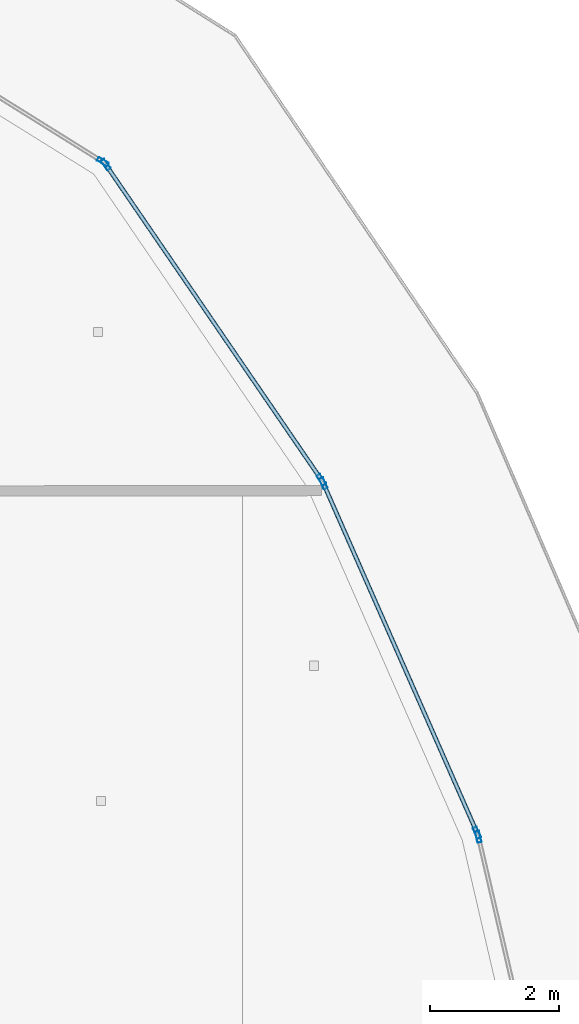
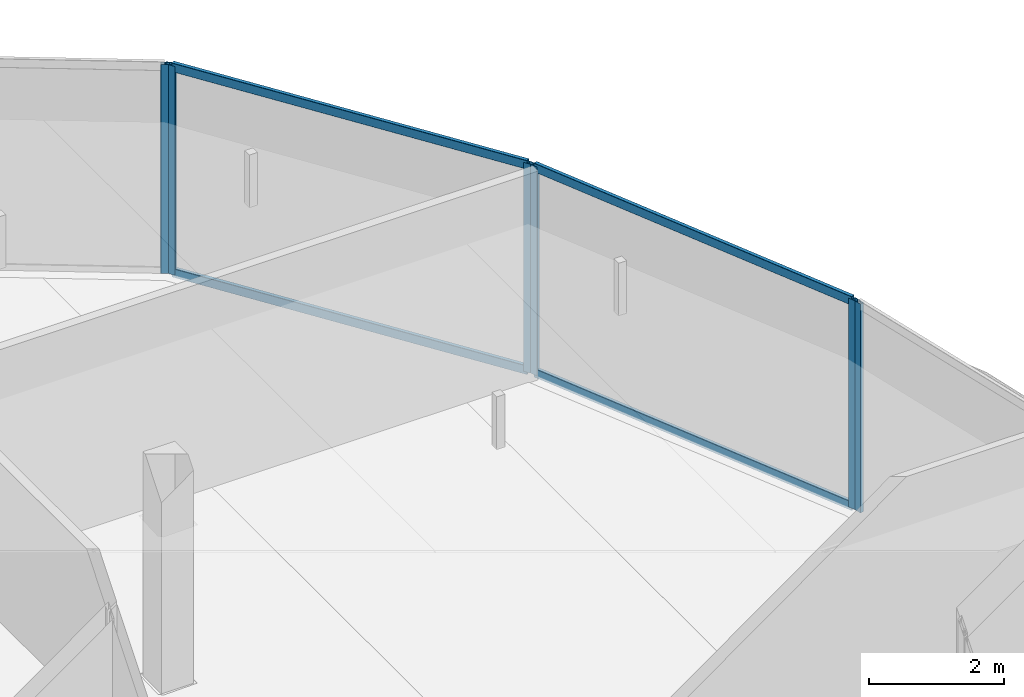
# One storey, part 19 of 33: 10 members, 4 elements without a shape of their own.
"""IFC4 building model written with IfcOpenShell, lengths in metres."""

from ifc_helpers import new_model, si_unit, direction, frame, origin, origin_2d, place, context, subcontext, project, spatial, hollow_rectangle, extrude, material, layer, layer_set, material_profile, profile_set, type_object, element, aggregate, save


model = new_model("IFC4")

# Units and contexts
model_context = context("Model", 3, precision=1e-05, world=origin(), true_north=direction((0.0, 1.0)))
body_context = subcontext(model_context, "Body", "Model", "MODEL_VIEW")
ifc_project = project(units=[si_unit("LENGTHUNIT", "METRE"), si_unit("AREAUNIT", "SQUARE_METRE"), si_unit("VOLUMEUNIT", "CUBIC_METRE"), si_unit("PLANEANGLEUNIT", "RADIAN"), si_unit("MASSUNIT", "GRAM", prefix="KILO")], contexts=[model_context])

# Site, building, storey
site_placement = place(None, origin())
site = spatial("IfcSite", under=ifc_project, at=site_placement, CompositionType="ELEMENT")
building_placement = place(site_placement, origin())
building = spatial("IfcBuilding", under=site, at=building_placement, Name="Qorvath Tower", CompositionType="ELEMENT")
storey_placement = place(building_placement, frame((0.0, 0.0, 209.10009765625)))
storey = spatial("IfcBuildingStorey", under=building, at=storey_placement, Name="L48", CompositionType="ELEMENT", Elevation=209.10009765625)

# Curtain wall, member
ifc_material_1 = material(Name="Anodised aluminium and triple low-E glass", Category="aluminium")
ifc_layer = layer(ifc_material_1, 0.179931640625)
ifc_layer_set = layer_set([ifc_layer], Name="CW-SYS-3")
curtain_wall_type = type_object("IfcCurtainWallType", Name="CW-SYS-3", PredefinedType="NOTDEFINED", material=ifc_layer_set)
curtain_wall_1_placement = place(storey_placement, origin())
curtain_wall_1 = element("IfcCurtainWall", 1, at=curtain_wall_1_placement, inside=storey, type_object=curtain_wall_type, Name="Curtain Wall CW-3 CW-T-L48-11.1", PredefinedType="NOTDEFINED")
ifc_material_2 = material(Name="Anodised aluminium 6063-T6", Category="aluminium")
ifc_material_profile_1 = material_profile(ifc_material_2, hollow_rectangle(XDim=0.06494140625, YDim=0.179931640625, WallThickness=0.00341796875, InnerFilletRadius=0.00341796875, OuterFilletRadius=0.007080078125, at=origin_2d()), Name="CWM 180x65")
ifc_profile_set_1 = profile_set([ifc_material_profile_1], Name="Anodised aluminium 6063-T6")
member_type_1 = type_object("IfcMemberType", Name="CWM-180", PredefinedType="MULLION", material=ifc_profile_set_1)
member_1_placement = place(storey_placement, frame((-0.7509765625, 10.1376953125, 0.0), z_axis=(0.0, 0.0, 1.0), x_axis=(-0.973971468764, -0.226670637786, 0.0)))
member_1 = element("IfcMember", 2, at=member_1_placement, type_object=member_type_1, Name="CW-3 mullion 2", PredefinedType="MULLION", context=body_context, shape_type="SweptSolid", body=[
    extrude(hollow_rectangle(XDim=0.06494140625, YDim=0.179931640625, WallThickness=0.00341796875, InnerFilletRadius=0.00341796875, OuterFilletRadius=0.007080078125, at=origin_2d()), origin(), (0.0, 0.0, 1.0), 3.77978515625),
])
aggregate(curtain_wall_1, [member_1])

# Curtain wall, members
curtain_wall_2_placement = place(storey_placement, origin())
curtain_wall_2 = element("IfcCurtainWall", 3, at=curtain_wall_2_placement, inside=storey, type_object=curtain_wall_type, Name="Curtain Wall CW-3 CW-T-L48-12.1", PredefinedType="NOTDEFINED")
member_2_placement = place(storey_placement, frame((-0.771484375, 10.19921875, 0.0), z_axis=(0.0, 0.0, 1.0), x_axis=(-0.91538099818, -0.40258865877, 0.0)))
member_2 = element("IfcMember", 4, at=member_2_placement, type_object=member_type_1, Name="CW-3 mullion 1", PredefinedType="MULLION", context=body_context, shape_type="SweptSolid", body=[
    extrude(hollow_rectangle(XDim=0.06494140625, YDim=0.179931640625, WallThickness=0.00341796875, InnerFilletRadius=0.00341796875, OuterFilletRadius=0.007080078125, at=origin_2d()), origin(), (0.0, 0.0, 1.0), 3.77978515625),
])
member_3_placement = place(storey_placement, frame((-3.1474609375, 15.601806640625, 0.0), z_axis=(0.0, 0.0, 1.0), x_axis=(-0.91538099818, -0.40258865877, 0.0)))
member_3 = element("IfcMember", 5, at=member_3_placement, type_object=member_type_1, Name="CW-3 mullion 2", PredefinedType="MULLION", context=body_context, shape_type="SweptSolid", body=[
    extrude(hollow_rectangle(XDim=0.06494140625, YDim=0.179931640625, WallThickness=0.00341796875, InnerFilletRadius=0.00341796875, OuterFilletRadius=0.007080078125, at=origin_2d()), origin(), (0.0, 0.0, 1.0), 3.77978515625),
])

curtain_wall_3_placement = place(storey_placement, origin())
curtain_wall_3 = element("IfcCurtainWall", 6, at=curtain_wall_3_placement, inside=storey, type_object=curtain_wall_type, Name="Curtain Wall CW-3 CW-T-L48-13.1", PredefinedType="NOTDEFINED")
member_4_placement = place(storey_placement, frame((-3.178955078125, 15.658447265625, 0.0), z_axis=(0.0, 0.0, 1.0), x_axis=(-0.825322881122, -0.564661085871, 0.0)))
member_4 = element("IfcMember", 7, at=member_4_placement, type_object=member_type_1, Name="CW-3 mullion 1", PredefinedType="MULLION", context=body_context, shape_type="SweptSolid", body=[
    extrude(hollow_rectangle(XDim=0.06494140625, YDim=0.179931640625, WallThickness=0.00341796875, InnerFilletRadius=0.00341796875, OuterFilletRadius=0.007080078125, at=origin_2d()), origin(), (0.0, 0.0, 1.0), 3.77978515625),
])
member_5_placement = place(storey_placement, frame((-6.51171875, 20.529541015625, 0.0), z_axis=(0.0, 0.0, 1.0), x_axis=(-0.825322881122, -0.564661085871, 0.0)))
member_5 = element("IfcMember", 8, at=member_5_placement, type_object=member_type_1, Name="CW-3 mullion 2", PredefinedType="MULLION", context=body_context, shape_type="SweptSolid", body=[
    extrude(hollow_rectangle(XDim=0.06494140625, YDim=0.179931640625, WallThickness=0.00341796875, InnerFilletRadius=0.00341796875, OuterFilletRadius=0.007080078125, at=origin_2d()), origin(), (0.0, 0.0, 1.0), 3.77978515625),
])

# Curtain wall, member
curtain_wall_4_placement = place(storey_placement, origin())
curtain_wall_4 = element("IfcCurtainWall", 9, at=curtain_wall_4_placement, inside=storey, type_object=curtain_wall_type, Name="Curtain Wall CW-3 CW-T-L48-14.1", PredefinedType="NOTDEFINED")
member_6_placement = place(storey_placement, frame((-6.5576171875, 20.573486328125, 0.0), z_axis=(0.0, 0.0, 1.0), x_axis=(-0.529074089173, -0.848575634912, 0.0)))
member_6 = element("IfcMember", 10, at=member_6_placement, type_object=member_type_1, Name="CW-3 mullion 1", PredefinedType="MULLION", context=body_context, shape_type="SweptSolid", body=[
    extrude(hollow_rectangle(XDim=0.06494140625, YDim=0.179931640625, WallThickness=0.00341796875, InnerFilletRadius=0.00341796875, OuterFilletRadius=0.007080078125, at=origin_2d()), origin(), (0.0, 0.0, 1.0), 3.77978515625),
])
aggregate(curtain_wall_4, [member_6])

# Member
ifc_material_3 = material(Name="Anodised aluminium 6063-T6", Category="aluminium")
ifc_material_profile_2 = material_profile(ifc_material_3, hollow_rectangle(XDim=0.06494140625, YDim=0.159912109375, WallThickness=0.00341796875, InnerFilletRadius=0.00341796875, OuterFilletRadius=0.007080078125, at=origin_2d()), Name="CWT 160x65")
ifc_profile_set_2 = profile_set([ifc_material_profile_2], Name="Anodised aluminium 6063-T6")
member_type_2 = type_object("IfcMemberType", Name="CWT-160", PredefinedType="USERDEFINED", material=ifc_profile_set_2)
member_7_placement = place(storey_placement, frame((-0.784423828125, 10.22900390625, 0.032470703125), z_axis=(-0.40261946772, 0.915367447648, 0.0), x_axis=(-0.915367447648, -0.40261946772, 0.0)))
member_7 = element("IfcMember", 11, at=member_7_placement, type_object=member_type_2, Name="CW-3 transom 1.1", ObjectType="TRANSOM", PredefinedType="USERDEFINED", context=body_context, shape_type="SweptSolid", body=[
    extrude(hollow_rectangle(XDim=0.06494140625, YDim=0.159912109375, WallThickness=0.00341796875, InnerFilletRadius=0.00341796875, OuterFilletRadius=0.007080078125, at=origin_2d()), origin(), (0.0, 0.0, 1.0), 5.8369140625),
])

member_8_placement = place(storey_placement, frame((-0.784423828125, 10.22900390625, 3.747314453125), z_axis=(-0.40261946772, 0.915367447648, 0.0), x_axis=(-0.915367447648, -0.40261946772, 0.0)))
member_8 = element("IfcMember", 12, at=member_8_placement, type_object=member_type_2, Name="CW-3 transom 1.2", ObjectType="TRANSOM", PredefinedType="USERDEFINED", context=body_context, shape_type="SweptSolid", body=[
    extrude(hollow_rectangle(XDim=0.06494140625, YDim=0.159912109375, WallThickness=0.00341796875, InnerFilletRadius=0.00341796875, OuterFilletRadius=0.007080078125, at=origin_2d()), origin(), (0.0, 0.0, 1.0), 5.8369140625),
])

aggregate(curtain_wall_2, [member_2, member_3, member_7, member_8])

member_9_placement = place(storey_placement, frame((-3.197265625, 15.685302734375, 0.032470703125), z_axis=(-0.564688413816, 0.825304183499, 0.0), x_axis=(-0.825304183499, -0.564688413816, 0.0)))
member_9 = element("IfcMember", 13, at=member_9_placement, type_object=member_type_2, Name="CW-3 transom 1.1", ObjectType="TRANSOM", PredefinedType="USERDEFINED", context=body_context, shape_type="SweptSolid", body=[
    extrude(hollow_rectangle(XDim=0.06494140625, YDim=0.159912109375, WallThickness=0.00341796875, InnerFilletRadius=0.00341796875, OuterFilletRadius=0.007080078125, at=origin_2d()), origin(), (0.0, 0.0, 1.0), 5.837158203125),
])

member_10_placement = place(storey_placement, frame((-3.197265625, 15.685302734375, 3.747314453125), z_axis=(-0.564688413816, 0.825304183499, 0.0), x_axis=(-0.825304183499, -0.564688413816, 0.0)))
member_10 = element("IfcMember", 14, at=member_10_placement, type_object=member_type_2, Name="CW-3 transom 1.2", ObjectType="TRANSOM", PredefinedType="USERDEFINED", context=body_context, shape_type="SweptSolid", body=[
    extrude(hollow_rectangle(XDim=0.06494140625, YDim=0.159912109375, WallThickness=0.00341796875, InnerFilletRadius=0.00341796875, OuterFilletRadius=0.007080078125, at=origin_2d()), origin(), (0.0, 0.0, 1.0), 5.837158203125),
])

aggregate(curtain_wall_3, [member_4, member_5, member_9, member_10])

save(model, "model.ifc")
